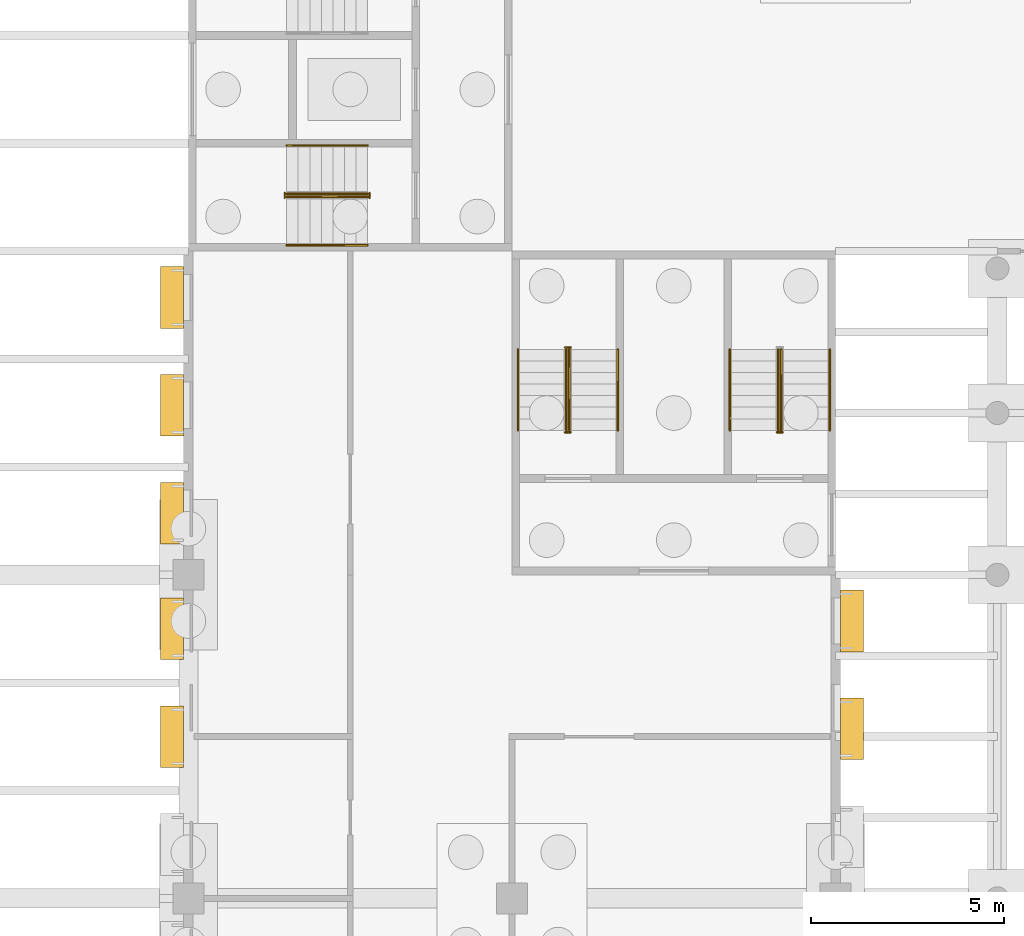
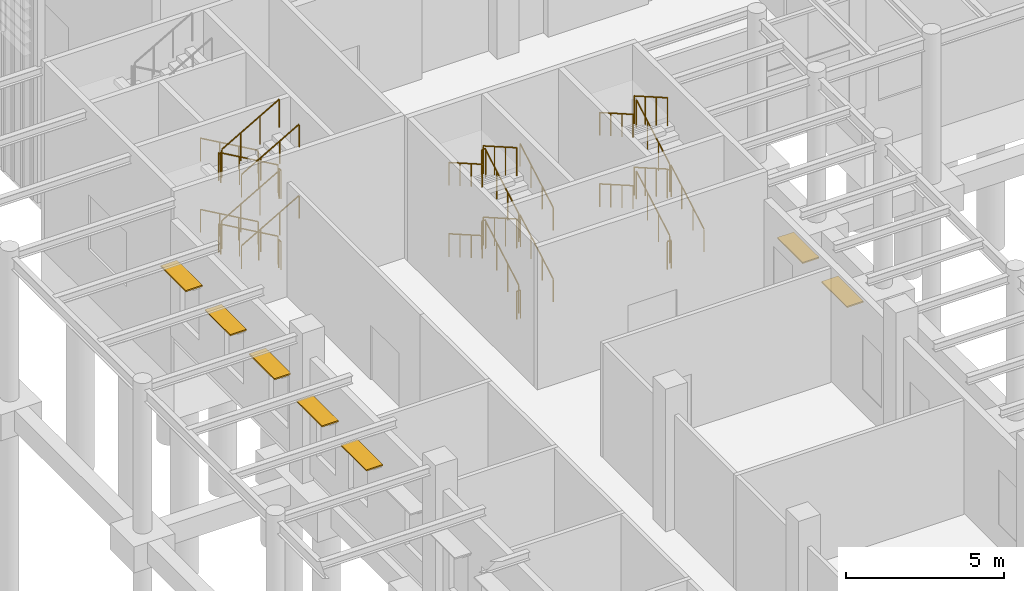
# One storey, part 61 of 82: 33 railings, 7 shading devices.
"""IFC4 building model written with IfcOpenShell, lengths in metres."""

from ifc_helpers import new_model, si_unit, direction, frame, origin, origin_2d, place, context, subcontext, project, spatial, rectangle, circle, extrude, material, material_profile, profile_set, type_object, element, save


model = new_model("IFC4")

# Units and contexts
model_context = context("Model", 3, precision=1e-05, world=origin(), true_north=direction((0.0, 1.0)))
body_context = subcontext(model_context, "Body", "Model", "MODEL_VIEW")
ifc_project = project(units=[si_unit("LENGTHUNIT", "METRE"), si_unit("AREAUNIT", "SQUARE_METRE"), si_unit("VOLUMEUNIT", "CUBIC_METRE"), si_unit("PLANEANGLEUNIT", "RADIAN"), si_unit("MASSUNIT", "GRAM", prefix="KILO")], contexts=[model_context])

# Site, building, storey
site_placement = place(None, origin())
site = spatial("IfcSite", under=ifc_project, at=site_placement, CompositionType="ELEMENT")
building_placement = place(site_placement, origin())
building = spatial("IfcBuilding", under=site, at=building_placement, Name="Almond Square Museum", CompositionType="ELEMENT")
storey_placement = place(building_placement, origin())
storey = spatial("IfcBuildingStorey", under=building, at=storey_placement, Name="L00", CompositionType="ELEMENT", Elevation=0.0)

# Railings
ifc_material_1 = material(Name="Stainless steel and laminated glass", Category="steel")
railing_type_1 = type_object("IfcRailingType", Name="Stair guard 1100 steel and glass", PredefinedType="GUARDRAIL", material=ifc_material_1)
railing_1_placement = place(storey_placement, frame((10.64990234375, 77.090087890625, 0.171875)))
element("IfcRailing", 1, at=railing_1_placement, inside=storey, type_object=railing_type_1, Name="L00 ST-13 stair guard 1", PredefinedType="GUARDRAIL", context=body_context, shape_type="SweptSolid", body=[
    extrude(circle(Radius=0.02392578125, at=origin_2d()), frame((0.0, 0.0, 1.076171875), z_axis=(-0.867671429157, 0.0, 0.497138100556), x_axis=(0.0, -1.0, 0.0)), (0.0, 0.0, 1.0), 2.420166015625),
    extrude(circle(Radius=0.02099609375, at=origin_2d()), origin(), (0.0, 0.0, 1.0), 1.052001953125),
    extrude(circle(Radius=0.02099609375, at=origin_2d()), frame((-0.699951171875, 0.0, 0.401123046875)), (0.0, 0.0, 1.0), 1.052001953125),
    extrude(circle(Radius=0.02099609375, at=origin_2d()), frame((-1.39990234375, 0.0, 0.802001953125)), (0.0, 0.0, 1.0), 1.052001953125),
    extrude(circle(Radius=0.02099609375, at=origin_2d()), frame((-2.099853515625, 0.0, 1.203125)), (0.0, 0.0, 1.0), 1.052001953125),
])
railing_2_placement = place(storey_placement, frame((8.5, 77.1201171875, 1.375)))
element("IfcRailing", 2, at=railing_2_placement, inside=storey, type_object=railing_type_1, Name="L00 ST-13 stair guard 2", PredefinedType="GUARDRAIL", context=body_context, shape_type="SweptSolid", body=[
    extrude(circle(Radius=0.02392578125, at=origin_2d()), frame((0.0, 0.0, 1.076171875), z_axis=(0.0, -1.0, 0.0), x_axis=(1.0, 0.0, 0.0)), (0.0, 0.0, 1.0), 0.14013671875),
    extrude(circle(Radius=0.02099609375, at=origin_2d()), origin(), (0.0, 0.0, 1.0), 1.052001953125),
    extrude(circle(Radius=0.02099609375, at=origin_2d()), frame((0.0, -0.14013671875, 0.0)), (0.0, 0.0, 1.0), 1.052001953125),
])
railing_3_placement = place(storey_placement, frame((8.550048828125, 77.010009765625, 1.546875)))
element("IfcRailing", 3, at=railing_3_placement, inside=storey, type_object=railing_type_1, Name="L00 ST-13 stair guard 3", PredefinedType="GUARDRAIL", context=body_context, shape_type="SweptSolid", body=[
    extrude(circle(Radius=0.02392578125, at=origin_2d()), frame((0.0, 0.0, 1.076171875), z_axis=(0.867671429157, 0.0, 0.497138100556), x_axis=(0.0, 1.0, 0.0)), (0.0, 0.0, 1.0), 2.420166015625),
    extrude(circle(Radius=0.02099609375, at=origin_2d()), origin(), (0.0, 0.0, 1.0), 1.052001953125),
    extrude(circle(Radius=0.02099609375, at=origin_2d()), frame((0.699951171875, 0.0, 0.401123046875)), (0.0, 0.0, 1.0), 1.052001953125),
    extrude(circle(Radius=0.02099609375, at=origin_2d()), frame((1.39990234375, 0.0, 0.802001953125)), (0.0, 0.0, 1.0), 1.052001953125),
    extrude(circle(Radius=0.02099609375, at=origin_2d()), frame((2.099853515625, 0.0, 1.203125)), (0.0, 0.0, 1.0), 1.052001953125),
])
railing_4_placement = place(storey_placement, frame((10.699951171875, 77.1201171875, 2.75)))
element("IfcRailing", 4, at=railing_4_placement, inside=storey, type_object=railing_type_1, Name="L00 ST-13 stair guard 4", PredefinedType="GUARDRAIL", context=body_context, shape_type="SweptSolid", body=[
    extrude(circle(Radius=0.02392578125, at=origin_2d()), frame((0.0, 0.0, 1.076171875), z_axis=(0.0, -1.0, 0.0), x_axis=(1.0, 0.0, 0.0)), (0.0, 0.0, 1.0), 0.14013671875),
    extrude(circle(Radius=0.02099609375, at=origin_2d()), origin(), (0.0, 0.0, 1.0), 1.052001953125),
    extrude(circle(Radius=0.02099609375, at=origin_2d()), frame((0.0, -0.14013671875, 0.0)), (0.0, 0.0, 1.0), 1.052001953125),
])
railing_5_placement = place(storey_placement, frame((10.64990234375, 77.090087890625, 2.921875)))
element("IfcRailing", 5, at=railing_5_placement, inside=storey, type_object=railing_type_1, Name="L00 ST-13 stair guard 5", PredefinedType="GUARDRAIL", context=body_context, shape_type="SweptSolid", body=[
    extrude(circle(Radius=0.02392578125, at=origin_2d()), frame((0.0, 0.0, 1.076171875), z_axis=(-0.867671429157, 0.0, 0.497138100556), x_axis=(0.0, -1.0, 0.0)), (0.0, 0.0, 1.0), 2.420166015625),
    extrude(circle(Radius=0.02099609375, at=origin_2d()), origin(), (0.0, 0.0, 1.0), 1.052001953125),
    extrude(circle(Radius=0.02099609375, at=origin_2d()), frame((-0.699951171875, 0.0, 0.401123046875)), (0.0, 0.0, 1.0), 1.052001953125),
    extrude(circle(Radius=0.02099609375, at=origin_2d()), frame((-1.39990234375, 0.0, 0.802001953125)), (0.0, 0.0, 1.0), 1.052001953125),
    extrude(circle(Radius=0.02099609375, at=origin_2d()), frame((-2.099853515625, 0.0, 1.203125)), (0.0, 0.0, 1.0), 1.052001953125),
])
railing_6_placement = place(storey_placement, frame((8.5, 77.1201171875, 4.125)))
element("IfcRailing", 6, at=railing_6_placement, inside=storey, type_object=railing_type_1, Name="L00 ST-13 stair guard 6", PredefinedType="GUARDRAIL", context=body_context, shape_type="SweptSolid", body=[
    extrude(circle(Radius=0.02392578125, at=origin_2d()), frame((0.0, 0.0, 1.076171875), z_axis=(0.0, -1.0, 0.0), x_axis=(1.0, 0.0, 0.0)), (0.0, 0.0, 1.0), 0.14013671875),
    extrude(circle(Radius=0.02099609375, at=origin_2d()), origin(), (0.0, 0.0, 1.0), 1.052001953125),
    extrude(circle(Radius=0.02099609375, at=origin_2d()), frame((0.0, -0.14013671875, 0.0)), (0.0, 0.0, 1.0), 1.052001953125),
])
railing_7_placement = place(storey_placement, frame((8.550048828125, 77.010009765625, 4.296875)))
element("IfcRailing", 7, at=railing_7_placement, inside=storey, type_object=railing_type_1, Name="L00 ST-13 stair guard 7", PredefinedType="GUARDRAIL", context=body_context, shape_type="SweptSolid", body=[
    extrude(circle(Radius=0.02392578125, at=origin_2d()), frame((0.0, 0.0, 1.076171875), z_axis=(0.867671429157, 0.0, 0.497138100556), x_axis=(0.0, 1.0, 0.0)), (0.0, 0.0, 1.0), 2.420166015625),
    extrude(circle(Radius=0.02099609375, at=origin_2d()), origin(), (0.0, 0.0, 1.0), 1.052001953125),
    extrude(circle(Radius=0.02099609375, at=origin_2d()), frame((0.699951171875, 0.0, 0.401123046875)), (0.0, 0.0, 1.0), 1.052001953125),
    extrude(circle(Radius=0.02099609375, at=origin_2d()), frame((1.39990234375, 0.0, 0.802001953125)), (0.0, 0.0, 1.0), 1.052001953125),
    extrude(circle(Radius=0.02099609375, at=origin_2d()), frame((2.099853515625, 0.0, 1.203125)), (0.0, 0.0, 1.0), 1.052001953125),
])
railing_8_placement = place(storey_placement, frame((10.699951171875, 77.1201171875, 0.0)))
element("IfcRailing", 8, at=railing_8_placement, inside=storey, type_object=railing_type_1, Name="L00 ST-13 stair guard 8", PredefinedType="GUARDRAIL", context=body_context, shape_type="SweptSolid", body=[
    extrude(circle(Radius=0.02392578125, at=origin_2d()), frame((0.0, 0.0, 1.076171875), z_axis=(0.0, -1.0, 0.0), x_axis=(1.0, 0.0, 0.0)), (0.0, 0.0, 1.0), 0.14013671875),
    extrude(circle(Radius=0.02099609375, at=origin_2d()), origin(), (0.0, 0.0, 1.0), 1.052001953125),
    extrude(circle(Radius=0.02099609375, at=origin_2d()), frame((0.0, -0.14013671875, 0.0)), (0.0, 0.0, 1.0), 1.052001953125),
])
railing_9_placement = place(storey_placement, frame((15.889892578125, 70.949951171875, 0.171875)))
element("IfcRailing", 9, at=railing_9_placement, inside=storey, type_object=railing_type_1, Name="L00 ST-23 stair guard 1", PredefinedType="GUARDRAIL", context=body_context, shape_type="SweptSolid", body=[
    extrude(circle(Radius=0.02392578125, at=origin_2d()), frame((0.0, 0.0, 1.076171875), z_axis=(0.0, 0.867696358075, 0.497094588769), x_axis=(-1.0, 0.0, 0.0)), (0.0, 0.0, 1.0), 2.42041015625),
    extrude(circle(Radius=0.02099609375, at=origin_2d()), origin(), (0.0, 0.0, 1.0), 1.052001953125),
    extrude(circle(Radius=0.02099609375, at=origin_2d()), frame((0.0, 0.699951171875, 0.401123046875)), (0.0, 0.0, 1.0), 1.052001953125),
    extrude(circle(Radius=0.02099609375, at=origin_2d()), frame((0.0, 1.400146484375, 0.802001953125)), (0.0, 0.0, 1.0), 1.052001953125),
    extrude(circle(Radius=0.02099609375, at=origin_2d()), frame((0.0, 2.10009765625, 1.203125)), (0.0, 0.0, 1.0), 1.052001953125),
])
railing_10_placement = place(storey_placement, frame((15.919921875, 73.10009765625, 1.375)))
element("IfcRailing", 10, at=railing_10_placement, inside=storey, type_object=railing_type_1, Name="L00 ST-23 stair guard 2", PredefinedType="GUARDRAIL", context=body_context, shape_type="SweptSolid", body=[
    extrude(circle(Radius=0.02392578125, at=origin_2d()), frame((0.0, 0.0, 1.076171875), z_axis=(-1.0, 0.0, 0.0), x_axis=(0.0, -1.0, 0.0)), (0.0, 0.0, 1.0), 0.139892578125),
    extrude(circle(Radius=0.02099609375, at=origin_2d()), origin(), (0.0, 0.0, 1.0), 1.052001953125),
    extrude(circle(Radius=0.02099609375, at=origin_2d()), frame((-0.139892578125, 0.0, 0.0)), (0.0, 0.0, 1.0), 1.052001953125),
])
railing_11_placement = place(storey_placement, frame((15.81005859375, 73.050048828125, 1.546875)))
element("IfcRailing", 11, at=railing_11_placement, inside=storey, type_object=railing_type_1, Name="L00 ST-23 stair guard 3", PredefinedType="GUARDRAIL", context=body_context, shape_type="SweptSolid", body=[
    extrude(circle(Radius=0.02392578125, at=origin_2d()), frame((0.0, 0.0, 1.076171875), z_axis=(0.0, -0.867696358075, 0.497094588769), x_axis=(1.0, 0.0, 0.0)), (0.0, 0.0, 1.0), 2.42041015625),
    extrude(circle(Radius=0.02099609375, at=origin_2d()), origin(), (0.0, 0.0, 1.0), 1.052001953125),
    extrude(circle(Radius=0.02099609375, at=origin_2d()), frame((0.0, -0.699951171875, 0.401123046875)), (0.0, 0.0, 1.0), 1.052001953125),
    extrude(circle(Radius=0.02099609375, at=origin_2d()), frame((0.0, -1.400146484375, 0.802001953125)), (0.0, 0.0, 1.0), 1.052001953125),
    extrude(circle(Radius=0.02099609375, at=origin_2d()), frame((0.0, -2.10009765625, 1.203125)), (0.0, 0.0, 1.0), 1.052001953125),
])
railing_12_placement = place(storey_placement, frame((15.919921875, 70.89990234375, 2.75)))
element("IfcRailing", 12, at=railing_12_placement, inside=storey, type_object=railing_type_1, Name="L00 ST-23 stair guard 4", PredefinedType="GUARDRAIL", context=body_context, shape_type="SweptSolid", body=[
    extrude(circle(Radius=0.02392578125, at=origin_2d()), frame((0.0, 0.0, 1.076171875), z_axis=(-1.0, 0.0, 0.0), x_axis=(0.0, -1.0, 0.0)), (0.0, 0.0, 1.0), 0.139892578125),
    extrude(circle(Radius=0.02099609375, at=origin_2d()), origin(), (0.0, 0.0, 1.0), 1.052001953125),
    extrude(circle(Radius=0.02099609375, at=origin_2d()), frame((-0.139892578125, 0.0, 0.0)), (0.0, 0.0, 1.0), 1.052001953125),
])
railing_13_placement = place(storey_placement, frame((15.889892578125, 70.949951171875, 2.921875)))
element("IfcRailing", 13, at=railing_13_placement, inside=storey, type_object=railing_type_1, Name="L00 ST-23 stair guard 5", PredefinedType="GUARDRAIL", context=body_context, shape_type="SweptSolid", body=[
    extrude(circle(Radius=0.02392578125, at=origin_2d()), frame((0.0, 0.0, 1.076171875), z_axis=(0.0, 0.867696358075, 0.497094588769), x_axis=(-1.0, 0.0, 0.0)), (0.0, 0.0, 1.0), 2.42041015625),
    extrude(circle(Radius=0.02099609375, at=origin_2d()), origin(), (0.0, 0.0, 1.0), 1.052001953125),
    extrude(circle(Radius=0.02099609375, at=origin_2d()), frame((0.0, 0.699951171875, 0.401123046875)), (0.0, 0.0, 1.0), 1.052001953125),
    extrude(circle(Radius=0.02099609375, at=origin_2d()), frame((0.0, 1.400146484375, 0.802001953125)), (0.0, 0.0, 1.0), 1.052001953125),
    extrude(circle(Radius=0.02099609375, at=origin_2d()), frame((0.0, 2.10009765625, 1.203125)), (0.0, 0.0, 1.0), 1.052001953125),
])
railing_14_placement = place(storey_placement, frame((15.919921875, 73.10009765625, 4.125)))
element("IfcRailing", 14, at=railing_14_placement, inside=storey, type_object=railing_type_1, Name="L00 ST-23 stair guard 6", PredefinedType="GUARDRAIL", context=body_context, shape_type="SweptSolid", body=[
    extrude(circle(Radius=0.02392578125, at=origin_2d()), frame((0.0, 0.0, 1.076171875), z_axis=(-1.0, 0.0, 0.0), x_axis=(0.0, -1.0, 0.0)), (0.0, 0.0, 1.0), 0.139892578125),
    extrude(circle(Radius=0.02099609375, at=origin_2d()), origin(), (0.0, 0.0, 1.0), 1.052001953125),
    extrude(circle(Radius=0.02099609375, at=origin_2d()), frame((-0.139892578125, 0.0, 0.0)), (0.0, 0.0, 1.0), 1.052001953125),
])
railing_15_placement = place(storey_placement, frame((15.81005859375, 73.050048828125, 4.296875)))
element("IfcRailing", 15, at=railing_15_placement, inside=storey, type_object=railing_type_1, Name="L00 ST-23 stair guard 7", PredefinedType="GUARDRAIL", context=body_context, shape_type="SweptSolid", body=[
    extrude(circle(Radius=0.02392578125, at=origin_2d()), frame((0.0, 0.0, 1.076171875), z_axis=(0.0, -0.867696358075, 0.497094588769), x_axis=(1.0, 0.0, 0.0)), (0.0, 0.0, 1.0), 2.42041015625),
    extrude(circle(Radius=0.02099609375, at=origin_2d()), origin(), (0.0, 0.0, 1.0), 1.052001953125),
    extrude(circle(Radius=0.02099609375, at=origin_2d()), frame((0.0, -0.699951171875, 0.401123046875)), (0.0, 0.0, 1.0), 1.052001953125),
    extrude(circle(Radius=0.02099609375, at=origin_2d()), frame((0.0, -1.400146484375, 0.802001953125)), (0.0, 0.0, 1.0), 1.052001953125),
    extrude(circle(Radius=0.02099609375, at=origin_2d()), frame((0.0, -2.10009765625, 1.203125)), (0.0, 0.0, 1.0), 1.052001953125),
])
railing_16_placement = place(storey_placement, frame((15.919921875, 70.89990234375, 0.0)))
element("IfcRailing", 16, at=railing_16_placement, inside=storey, type_object=railing_type_1, Name="L00 ST-23 stair guard 8", PredefinedType="GUARDRAIL", context=body_context, shape_type="SweptSolid", body=[
    extrude(circle(Radius=0.02392578125, at=origin_2d()), frame((0.0, 0.0, 1.076171875), z_axis=(-1.0, 0.0, 0.0), x_axis=(0.0, -1.0, 0.0)), (0.0, 0.0, 1.0), 0.139892578125),
    extrude(circle(Radius=0.02099609375, at=origin_2d()), origin(), (0.0, 0.0, 1.0), 1.052001953125),
    extrude(circle(Radius=0.02099609375, at=origin_2d()), frame((-0.139892578125, 0.0, 0.0)), (0.0, 0.0, 1.0), 1.052001953125),
])
railing_17_placement = place(storey_placement, frame((21.389892578125, 70.949951171875, 0.171875)))
element("IfcRailing", 17, at=railing_17_placement, inside=storey, type_object=railing_type_1, Name="L00 ST-24 stair guard 1", PredefinedType="GUARDRAIL", context=body_context, shape_type="SweptSolid", body=[
    extrude(circle(Radius=0.02392578125, at=origin_2d()), frame((0.0, 0.0, 1.076171875), z_axis=(0.0, 0.867696358075, 0.497094588769), x_axis=(-1.0, 0.0, 0.0)), (0.0, 0.0, 1.0), 2.42041015625),
    extrude(circle(Radius=0.02099609375, at=origin_2d()), origin(), (0.0, 0.0, 1.0), 1.052001953125),
    extrude(circle(Radius=0.02099609375, at=origin_2d()), frame((0.0, 0.699951171875, 0.401123046875)), (0.0, 0.0, 1.0), 1.052001953125),
    extrude(circle(Radius=0.02099609375, at=origin_2d()), frame((0.0, 1.400146484375, 0.802001953125)), (0.0, 0.0, 1.0), 1.052001953125),
    extrude(circle(Radius=0.02099609375, at=origin_2d()), frame((0.0, 2.10009765625, 1.203125)), (0.0, 0.0, 1.0), 1.052001953125),
])
railing_18_placement = place(storey_placement, frame((21.31005859375, 73.050048828125, 1.546875)))
element("IfcRailing", 18, at=railing_18_placement, inside=storey, type_object=railing_type_1, Name="L00 ST-24 stair guard 3", PredefinedType="GUARDRAIL", context=body_context, shape_type="SweptSolid", body=[
    extrude(circle(Radius=0.02392578125, at=origin_2d()), frame((0.0, 0.0, 1.076171875), z_axis=(0.0, -0.867696358075, 0.497094588769), x_axis=(1.0, 0.0, 0.0)), (0.0, 0.0, 1.0), 2.42041015625),
    extrude(circle(Radius=0.02099609375, at=origin_2d()), origin(), (0.0, 0.0, 1.0), 1.052001953125),
    extrude(circle(Radius=0.02099609375, at=origin_2d()), frame((0.0, -0.699951171875, 0.401123046875)), (0.0, 0.0, 1.0), 1.052001953125),
    extrude(circle(Radius=0.02099609375, at=origin_2d()), frame((0.0, -1.400146484375, 0.802001953125)), (0.0, 0.0, 1.0), 1.052001953125),
    extrude(circle(Radius=0.02099609375, at=origin_2d()), frame((0.0, -2.10009765625, 1.203125)), (0.0, 0.0, 1.0), 1.052001953125),
])
railing_19_placement = place(storey_placement, frame((21.419921875, 70.89990234375, 2.75)))
element("IfcRailing", 19, at=railing_19_placement, inside=storey, type_object=railing_type_1, Name="L00 ST-24 stair guard 4", PredefinedType="GUARDRAIL", context=body_context, shape_type="SweptSolid", body=[
    extrude(circle(Radius=0.02392578125, at=origin_2d()), frame((0.0, 0.0, 1.076171875), z_axis=(-1.0, 0.0, 0.0), x_axis=(0.0, -1.0, 0.0)), (0.0, 0.0, 1.0), 0.139892578125),
    extrude(circle(Radius=0.02099609375, at=origin_2d()), origin(), (0.0, 0.0, 1.0), 1.052001953125),
    extrude(circle(Radius=0.02099609375, at=origin_2d()), frame((-0.139892578125, 0.0, 0.0)), (0.0, 0.0, 1.0), 1.052001953125),
])
railing_20_placement = place(storey_placement, frame((21.389892578125, 70.949951171875, 2.921875)))
element("IfcRailing", 20, at=railing_20_placement, inside=storey, type_object=railing_type_1, Name="L00 ST-24 stair guard 5", PredefinedType="GUARDRAIL", context=body_context, shape_type="SweptSolid", body=[
    extrude(circle(Radius=0.02392578125, at=origin_2d()), frame((0.0, 0.0, 1.076171875), z_axis=(0.0, 0.867696358075, 0.497094588769), x_axis=(-1.0, 0.0, 0.0)), (0.0, 0.0, 1.0), 2.42041015625),
    extrude(circle(Radius=0.02099609375, at=origin_2d()), origin(), (0.0, 0.0, 1.0), 1.052001953125),
    extrude(circle(Radius=0.02099609375, at=origin_2d()), frame((0.0, 0.699951171875, 0.401123046875)), (0.0, 0.0, 1.0), 1.052001953125),
    extrude(circle(Radius=0.02099609375, at=origin_2d()), frame((0.0, 1.400146484375, 0.802001953125)), (0.0, 0.0, 1.0), 1.052001953125),
    extrude(circle(Radius=0.02099609375, at=origin_2d()), frame((0.0, 2.10009765625, 1.203125)), (0.0, 0.0, 1.0), 1.052001953125),
])
railing_21_placement = place(storey_placement, frame((21.31005859375, 73.050048828125, 4.296875)))
element("IfcRailing", 21, at=railing_21_placement, inside=storey, type_object=railing_type_1, Name="L00 ST-24 stair guard 7", PredefinedType="GUARDRAIL", context=body_context, shape_type="SweptSolid", body=[
    extrude(circle(Radius=0.02392578125, at=origin_2d()), frame((0.0, 0.0, 1.076171875), z_axis=(0.0, -0.867696358075, 0.497094588769), x_axis=(1.0, 0.0, 0.0)), (0.0, 0.0, 1.0), 2.42041015625),
    extrude(circle(Radius=0.02099609375, at=origin_2d()), origin(), (0.0, 0.0, 1.0), 1.052001953125),
    extrude(circle(Radius=0.02099609375, at=origin_2d()), frame((0.0, -0.699951171875, 0.401123046875)), (0.0, 0.0, 1.0), 1.052001953125),
    extrude(circle(Radius=0.02099609375, at=origin_2d()), frame((0.0, -1.400146484375, 0.802001953125)), (0.0, 0.0, 1.0), 1.052001953125),
    extrude(circle(Radius=0.02099609375, at=origin_2d()), frame((0.0, -2.10009765625, 1.203125)), (0.0, 0.0, 1.0), 1.052001953125),
])
railing_22_placement = place(storey_placement, frame((21.419921875, 70.89990234375, 0.0)))
element("IfcRailing", 22, at=railing_22_placement, inside=storey, type_object=railing_type_1, Name="L00 ST-24 stair guard 8", PredefinedType="GUARDRAIL", context=body_context, shape_type="SweptSolid", body=[
    extrude(circle(Radius=0.02392578125, at=origin_2d()), frame((0.0, 0.0, 1.076171875), z_axis=(-1.0, 0.0, 0.0), x_axis=(0.0, -1.0, 0.0)), (0.0, 0.0, 1.0), 0.139892578125),
    extrude(circle(Radius=0.02099609375, at=origin_2d()), origin(), (0.0, 0.0, 1.0), 1.052001953125),
    extrude(circle(Radius=0.02099609375, at=origin_2d()), frame((-0.139892578125, 0.0, 0.0)), (0.0, 0.0, 1.0), 1.052001953125),
])
ifc_material_2 = material(Name="Stainless steel", Category="steel")
railing_type_2 = type_object("IfcRailingType", Name="Stair handrail 900 steel", PredefinedType="HANDRAIL", material=ifc_material_2)
railing_23_placement = place(storey_placement, frame((10.64990234375, 78.344970703125, 0.171875)))
element("IfcRailing", 23, at=railing_23_placement, inside=storey, type_object=railing_type_2, Name="L00 ST-13 stair handrail 1", PredefinedType="HANDRAIL", context=body_context, shape_type="SweptSolid", body=[
    extrude(circle(Radius=0.02392578125, at=origin_2d()), frame((0.0, 0.0, 0.8759765625), z_axis=(-0.867671429157, 0.0, 0.497138100556), x_axis=(0.0, -1.0, 0.0)), (0.0, 0.0, 1.0), 2.420166015625),
    extrude(circle(Radius=0.02099609375, at=origin_2d()), origin(), (0.0, 0.0, 1.0), 0.851806640625),
    extrude(circle(Radius=0.02099609375, at=origin_2d()), frame((-0.699951171875, 0.0, 0.401123046875)), (0.0, 0.0, 1.0), 0.851806640625),
    extrude(circle(Radius=0.02099609375, at=origin_2d()), frame((-1.39990234375, 0.0, 0.802001953125)), (0.0, 0.0, 1.0), 0.851806640625),
    extrude(circle(Radius=0.02099609375, at=origin_2d()), frame((-2.099853515625, 0.0, 1.203125)), (0.0, 0.0, 1.0), 0.851806640625),
])
railing_24_placement = place(storey_placement, frame((8.550048828125, 75.7548828125, 1.546875)))
element("IfcRailing", 24, at=railing_24_placement, inside=storey, type_object=railing_type_2, Name="L00 ST-13 stair handrail 2", PredefinedType="HANDRAIL", context=body_context, shape_type="SweptSolid", body=[
    extrude(circle(Radius=0.02392578125, at=origin_2d()), frame((0.0, 0.0, 0.8759765625), z_axis=(0.867671429157, 0.0, 0.497138100556), x_axis=(0.0, 1.0, 0.0)), (0.0, 0.0, 1.0), 2.420166015625),
    extrude(circle(Radius=0.02099609375, at=origin_2d()), origin(), (0.0, 0.0, 1.0), 0.851806640625),
    extrude(circle(Radius=0.02099609375, at=origin_2d()), frame((0.699951171875, 0.0, 0.401123046875)), (0.0, 0.0, 1.0), 0.851806640625),
    extrude(circle(Radius=0.02099609375, at=origin_2d()), frame((1.39990234375, 0.0, 0.802001953125)), (0.0, 0.0, 1.0), 0.851806640625),
    extrude(circle(Radius=0.02099609375, at=origin_2d()), frame((2.099853515625, 0.0, 1.203125)), (0.0, 0.0, 1.0), 0.851806640625),
])
railing_25_placement = place(storey_placement, frame((10.64990234375, 78.344970703125, 2.921875)))
element("IfcRailing", 25, at=railing_25_placement, inside=storey, type_object=railing_type_2, Name="L00 ST-13 stair handrail 3", PredefinedType="HANDRAIL", context=body_context, shape_type="SweptSolid", body=[
    extrude(circle(Radius=0.02392578125, at=origin_2d()), frame((0.0, 0.0, 0.8759765625), z_axis=(-0.867671429157, 0.0, 0.497138100556), x_axis=(0.0, -1.0, 0.0)), (0.0, 0.0, 1.0), 2.420166015625),
    extrude(circle(Radius=0.02099609375, at=origin_2d()), origin(), (0.0, 0.0, 1.0), 0.851806640625),
    extrude(circle(Radius=0.02099609375, at=origin_2d()), frame((-0.699951171875, 0.0, 0.401123046875)), (0.0, 0.0, 1.0), 0.851806640625),
    extrude(circle(Radius=0.02099609375, at=origin_2d()), frame((-1.39990234375, 0.0, 0.802001953125)), (0.0, 0.0, 1.0), 0.851806640625),
    extrude(circle(Radius=0.02099609375, at=origin_2d()), frame((-2.099853515625, 0.0, 1.203125)), (0.0, 0.0, 1.0), 0.851806640625),
])
railing_26_placement = place(storey_placement, frame((8.550048828125, 75.7548828125, 4.296875)))
element("IfcRailing", 26, at=railing_26_placement, inside=storey, type_object=railing_type_2, Name="L00 ST-13 stair handrail 4", PredefinedType="HANDRAIL", context=body_context, shape_type="SweptSolid", body=[
    extrude(circle(Radius=0.02392578125, at=origin_2d()), frame((0.0, 0.0, 0.8759765625), z_axis=(0.867671429157, 0.0, 0.497138100556), x_axis=(0.0, 1.0, 0.0)), (0.0, 0.0, 1.0), 2.420166015625),
    extrude(circle(Radius=0.02099609375, at=origin_2d()), origin(), (0.0, 0.0, 1.0), 0.851806640625),
    extrude(circle(Radius=0.02099609375, at=origin_2d()), frame((0.699951171875, 0.0, 0.401123046875)), (0.0, 0.0, 1.0), 0.851806640625),
    extrude(circle(Radius=0.02099609375, at=origin_2d()), frame((1.39990234375, 0.0, 0.802001953125)), (0.0, 0.0, 1.0), 0.851806640625),
    extrude(circle(Radius=0.02099609375, at=origin_2d()), frame((2.099853515625, 0.0, 1.203125)), (0.0, 0.0, 1.0), 0.851806640625),
])
railing_27_placement = place(storey_placement, frame((17.14501953125, 70.949951171875, 0.171875)))
element("IfcRailing", 27, at=railing_27_placement, inside=storey, type_object=railing_type_2, Name="L00 ST-23 stair handrail 1", PredefinedType="HANDRAIL", context=body_context, shape_type="SweptSolid", body=[
    extrude(circle(Radius=0.02392578125, at=origin_2d()), frame((0.0, 0.0, 0.8759765625), z_axis=(0.0, 0.867696358075, 0.497094588769), x_axis=(-1.0, 0.0, 0.0)), (0.0, 0.0, 1.0), 2.42041015625),
    extrude(circle(Radius=0.02099609375, at=origin_2d()), origin(), (0.0, 0.0, 1.0), 0.851806640625),
    extrude(circle(Radius=0.02099609375, at=origin_2d()), frame((0.0, 0.699951171875, 0.401123046875)), (0.0, 0.0, 1.0), 0.851806640625),
    extrude(circle(Radius=0.02099609375, at=origin_2d()), frame((0.0, 1.400146484375, 0.802001953125)), (0.0, 0.0, 1.0), 0.851806640625),
    extrude(circle(Radius=0.02099609375, at=origin_2d()), frame((0.0, 2.10009765625, 1.203125)), (0.0, 0.0, 1.0), 0.851806640625),
])
railing_28_placement = place(storey_placement, frame((14.554931640625, 73.050048828125, 1.546875)))
element("IfcRailing", 28, at=railing_28_placement, inside=storey, type_object=railing_type_2, Name="L00 ST-23 stair handrail 2", PredefinedType="HANDRAIL", context=body_context, shape_type="SweptSolid", body=[
    extrude(circle(Radius=0.02392578125, at=origin_2d()), frame((0.0, 0.0, 0.8759765625), z_axis=(0.0, -0.867696358075, 0.497094588769), x_axis=(1.0, 0.0, 0.0)), (0.0, 0.0, 1.0), 2.42041015625),
    extrude(circle(Radius=0.02099609375, at=origin_2d()), origin(), (0.0, 0.0, 1.0), 0.851806640625),
    extrude(circle(Radius=0.02099609375, at=origin_2d()), frame((0.0, -0.699951171875, 0.401123046875)), (0.0, 0.0, 1.0), 0.851806640625),
    extrude(circle(Radius=0.02099609375, at=origin_2d()), frame((0.0, -1.400146484375, 0.802001953125)), (0.0, 0.0, 1.0), 0.851806640625),
    extrude(circle(Radius=0.02099609375, at=origin_2d()), frame((0.0, -2.10009765625, 1.203125)), (0.0, 0.0, 1.0), 0.851806640625),
])
railing_29_placement = place(storey_placement, frame((17.14501953125, 70.949951171875, 2.921875)))
element("IfcRailing", 29, at=railing_29_placement, inside=storey, type_object=railing_type_2, Name="L00 ST-23 stair handrail 3", PredefinedType="HANDRAIL", context=body_context, shape_type="SweptSolid", body=[
    extrude(circle(Radius=0.02392578125, at=origin_2d()), frame((0.0, 0.0, 0.8759765625), z_axis=(0.0, 0.867696358075, 0.497094588769), x_axis=(-1.0, 0.0, 0.0)), (0.0, 0.0, 1.0), 2.42041015625),
    extrude(circle(Radius=0.02099609375, at=origin_2d()), origin(), (0.0, 0.0, 1.0), 0.851806640625),
    extrude(circle(Radius=0.02099609375, at=origin_2d()), frame((0.0, 0.699951171875, 0.401123046875)), (0.0, 0.0, 1.0), 0.851806640625),
    extrude(circle(Radius=0.02099609375, at=origin_2d()), frame((0.0, 1.400146484375, 0.802001953125)), (0.0, 0.0, 1.0), 0.851806640625),
    extrude(circle(Radius=0.02099609375, at=origin_2d()), frame((0.0, 2.10009765625, 1.203125)), (0.0, 0.0, 1.0), 0.851806640625),
])
railing_30_placement = place(storey_placement, frame((14.554931640625, 73.050048828125, 4.296875)))
element("IfcRailing", 30, at=railing_30_placement, inside=storey, type_object=railing_type_2, Name="L00 ST-23 stair handrail 4", PredefinedType="HANDRAIL", context=body_context, shape_type="SweptSolid", body=[
    extrude(circle(Radius=0.02392578125, at=origin_2d()), frame((0.0, 0.0, 0.8759765625), z_axis=(0.0, -0.867696358075, 0.497094588769), x_axis=(1.0, 0.0, 0.0)), (0.0, 0.0, 1.0), 2.42041015625),
    extrude(circle(Radius=0.02099609375, at=origin_2d()), origin(), (0.0, 0.0, 1.0), 0.851806640625),
    extrude(circle(Radius=0.02099609375, at=origin_2d()), frame((0.0, -0.699951171875, 0.401123046875)), (0.0, 0.0, 1.0), 0.851806640625),
    extrude(circle(Radius=0.02099609375, at=origin_2d()), frame((0.0, -1.400146484375, 0.802001953125)), (0.0, 0.0, 1.0), 0.851806640625),
    extrude(circle(Radius=0.02099609375, at=origin_2d()), frame((0.0, -2.10009765625, 1.203125)), (0.0, 0.0, 1.0), 0.851806640625),
])
railing_31_placement = place(storey_placement, frame((22.64501953125, 70.949951171875, 0.171875)))
element("IfcRailing", 31, at=railing_31_placement, inside=storey, type_object=railing_type_2, Name="L00 ST-24 stair handrail 1", PredefinedType="HANDRAIL", context=body_context, shape_type="SweptSolid", body=[
    extrude(circle(Radius=0.02392578125, at=origin_2d()), frame((0.0, 0.0, 0.8759765625), z_axis=(0.0, 0.867696358075, 0.497094588769), x_axis=(-1.0, 0.0, 0.0)), (0.0, 0.0, 1.0), 2.42041015625),
    extrude(circle(Radius=0.02099609375, at=origin_2d()), origin(), (0.0, 0.0, 1.0), 0.851806640625),
    extrude(circle(Radius=0.02099609375, at=origin_2d()), frame((0.0, 0.699951171875, 0.401123046875)), (0.0, 0.0, 1.0), 0.851806640625),
    extrude(circle(Radius=0.02099609375, at=origin_2d()), frame((0.0, 1.400146484375, 0.802001953125)), (0.0, 0.0, 1.0), 0.851806640625),
    extrude(circle(Radius=0.02099609375, at=origin_2d()), frame((0.0, 2.10009765625, 1.203125)), (0.0, 0.0, 1.0), 0.851806640625),
])
for number, where, name in (
    (32, (20.054931640625, 73.050048828125, 1.546875), "L00 ST-24 stair handrail 2"),
    (33, (20.054931640625, 73.050048828125, 4.296875), "L00 ST-24 stair handrail 4"),
):
    element("IfcRailing", number, at=place(storey_placement, frame(where)), inside=storey, type_object=railing_type_2, Name=name, PredefinedType="HANDRAIL", context=body_context, shape_type="SweptSolid", body=[
        extrude(circle(Radius=0.02392578125, at=origin_2d()), frame((0.0, 0.0, 0.8759765625), z_axis=(0.0, -0.867696358075, 0.497094588769), x_axis=(1.0, 0.0, 0.0)), (0.0, 0.0, 1.0), 2.42041015625),
        extrude(circle(Radius=0.02099609375, at=origin_2d()), origin(), (0.0, 0.0, 1.0), 0.851806640625),
        extrude(circle(Radius=0.02099609375, at=origin_2d()), frame((0.0, -0.699951171875, 0.401123046875)), (0.0, 0.0, 1.0), 0.851806640625),
        extrude(circle(Radius=0.02099609375, at=origin_2d()), frame((0.0, -1.400146484375, 0.802001953125)), (0.0, 0.0, 1.0), 0.851806640625),
        extrude(circle(Radius=0.02099609375, at=origin_2d()), frame((0.0, -2.10009765625, 1.203125)), (0.0, 0.0, 1.0), 0.851806640625),
    ])

# Shading devices
ifc_material_3 = material(Name="Anodised aluminium", Category="aluminium")
ifc_material_profile = material_profile(ifc_material_3, rectangle(XDim=0.60009765625, YDim=0.050048828125, at=origin_2d()))
ifc_profile_set = profile_set([ifc_material_profile], Name="Anodised aluminium")
shading_device_type = type_object("IfcShadingDeviceType", Name="Sun-shade blade 600 x 50", PredefinedType="USERDEFINED", material=ifc_profile_set)
for number, where, z_axis, x_axis, name in (
    (34, (23.222900390625, 62.39990234375, 3.1201171875), (0.0, 1.0, 0.0), (-1.0, 0.0, 0.0), "Sun-shade blade"),
    (35, (23.222900390625, 65.199951171875, 3.1201171875), (0.0, 1.0, 0.0), (-1.0, 0.0, 0.0), "Sun-shade blade"),
    (36, (5.576904296875, 68.0, 3.1201171875), (0.0, 1.0, 0.0), (-1.0, 0.0, 0.0), "Sun-shade blade"),
):
    element("IfcShadingDevice", number, at=place(storey_placement, frame(where, z_axis=z_axis, x_axis=x_axis)), inside=storey, type_object=shading_device_type, Name=name, ObjectType="LOUVRE", PredefinedType="USERDEFINED", context=body_context, shape_type="SweptSolid", body=[
        extrude(rectangle(XDim=0.60009765625, YDim=0.050048828125, at=origin_2d()), origin(), (0.0, 0.0, 1.0), 1.60009765625),
    ])
for number, where, z_axis, x_axis, name in (
    (37, (5.576904296875, 70.800048828125, 3.1201171875), (0.0, 1.0, 0.0), (-1.0, 0.0, 0.0), "Sun-shade blade"),
    (38, (5.576904296875, 73.60009765625, 3.1201171875), (0.0, 1.0, 0.0), (-1.0, 0.0, 0.0), "Sun-shade blade"),
):
    element("IfcShadingDevice", number, at=place(storey_placement, frame(where, z_axis=z_axis, x_axis=x_axis)), inside=storey, type_object=shading_device_type, Name=name, ObjectType="LOUVRE", PredefinedType="USERDEFINED", context=body_context, shape_type="SweptSolid", body=[
        extrude(rectangle(XDim=0.60009765625, YDim=0.050048828125, at=origin_2d()), origin(), (0.0, 0.0, 1.0), 1.599853515625),
    ])
for number, where, z_axis, x_axis, name in (
    (39, (5.576904296875, 62.199951171875, 3.1201171875), (0.0, 1.0, 0.0), (-1.0, 0.0, 0.0), "Sun-shade blade"),
    (40, (5.576904296875, 65.0, 3.1201171875), (0.0, 1.0, 0.0), (-1.0, 0.0, 0.0), "Sun-shade blade"),
):
    element("IfcShadingDevice", number, at=place(storey_placement, frame(where, z_axis=z_axis, x_axis=x_axis)), inside=storey, type_object=shading_device_type, Name=name, ObjectType="LOUVRE", PredefinedType="USERDEFINED", context=body_context, shape_type="SweptSolid", body=[
        extrude(rectangle(XDim=0.60009765625, YDim=0.050048828125, at=origin_2d()), origin(), (0.0, 0.0, 1.0), 1.60009765625),
    ])

save(model, "model.ifc")
